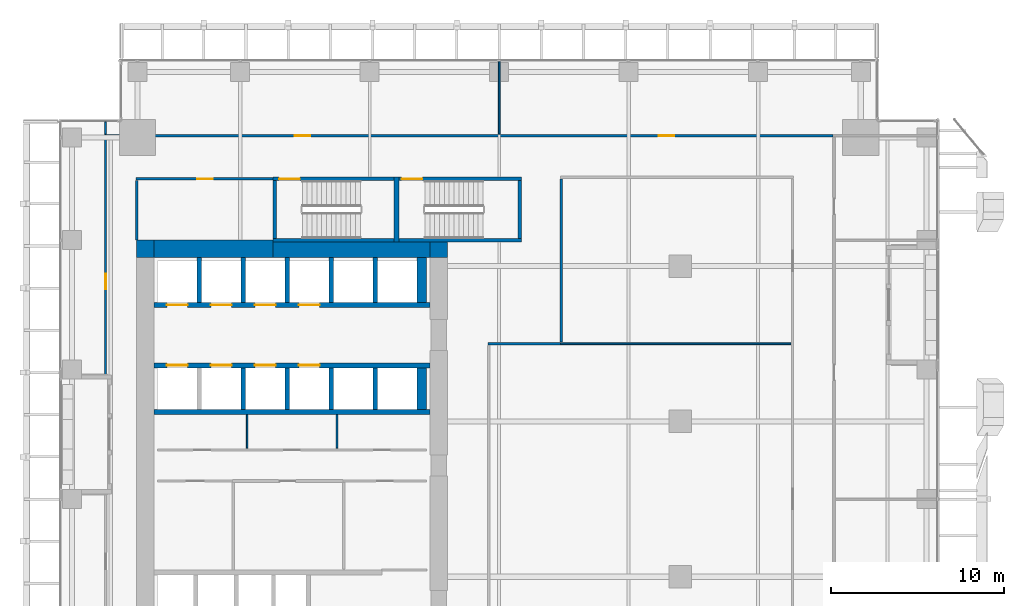
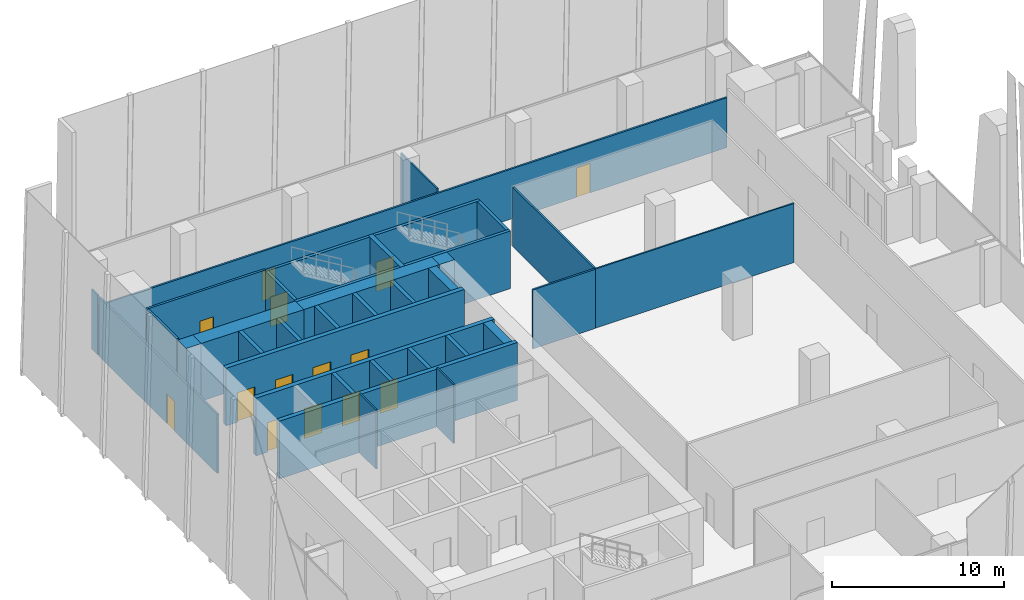
# One storey, part 29 of 35: 36 walls, 14 doors, 14 openings.
"""IFC4 building model written with IfcOpenShell, lengths in metres."""

from ifc_helpers import new_model, si_unit, direction, frame, frame_2d, origin, place, context, subcontext, project, spatial, rectangle, extrude, source, transform, mapped, material, layer, layer_set, type_object, element, fill, save


model = new_model("IFC4")

# Units and contexts
model_context = context("Model", 3, precision=1e-05, world=origin(), true_north=direction((0.0, 1.0)))
body_context = subcontext(model_context, "Body", "Model", "MODEL_VIEW")
ifc_project = project(units=[si_unit("LENGTHUNIT", "METRE"), si_unit("AREAUNIT", "SQUARE_METRE"), si_unit("VOLUMEUNIT", "CUBIC_METRE"), si_unit("PLANEANGLEUNIT", "RADIAN"), si_unit("MASSUNIT", "GRAM", prefix="KILO")], contexts=[model_context])

# Site, building, storey
site_placement = place(None, origin())
site = spatial("IfcSite", under=ifc_project, at=site_placement, CompositionType="ELEMENT")
building_placement = place(site_placement, origin())
building = spatial("IfcBuilding", under=site, at=building_placement, Name="Khomas Fold Tower", CompositionType="ELEMENT")
storey_placement = place(building_placement, frame((0.0, 0.0, 127.89990234375)))
storey = spatial("IfcBuildingStorey", under=building, at=storey_placement, Name="L27", CompositionType="ELEMENT", Elevation=127.89990234375)

# Walls
ifc_material_1 = material(Name="Concrete C70/85", Category="concrete")
ifc_layer_1 = layer(ifc_material_1, 1.0)
ifc_layer_set_1 = layer_set([ifc_layer_1], Name="Concrete C70/85")
wall_type_1 = type_object("IfcWallType", Name="Core wall 1000", PredefinedType="SHEAR", material=ifc_layer_set_1)
shared_shape_1 = source(origin(), body_context, "Body", "SweptSolid", [
    extrude(rectangle(XDim=6.89990234375, YDim=1.0, at=frame_2d((3.449951171875, 0.0))), origin(), (0.0, 0.0, 1.0), 4.10009765625),
])
wall_1_placement = place(storey_placement, frame((7.0, 41.5, 0.0), z_axis=(0.0, 0.0, 1.0), x_axis=(1.0, 0.0, 0.0)))
element("IfcWall", 1, at=wall_1_placement, inside=storey, type_object=wall_type_1, Name="Core wall CW-L-N-L21", PredefinedType="SHEAR", context=body_context, shape_type="MappedRepresentation", body=[
    mapped(shared_shape_1, transform((0.0, 0.0, 0.0))),
])
ifc_material_2 = material(Name="Concrete C70/85", Category="concrete")
ifc_layer_2 = layer(ifc_material_2, 0.89990234375)
ifc_layer_set_2 = layer_set([ifc_layer_2], Name="Concrete C70/85")
wall_type_2 = type_object("IfcWallType", Name="Core wall 900", PredefinedType="SHEAR", material=ifc_layer_set_2)
shared_shape_2 = source(origin(), body_context, "Body", "SweptSolid", [
    extrude(rectangle(XDim=9.10009765625, YDim=0.89990234375, at=frame_2d((4.550048828125, 0.0))), origin(), (0.0, 0.0, 1.0), 4.10009765625),
])
wall_2_placement = place(storey_placement, frame((13.89990234375, 41.449951171875, 0.0), z_axis=(0.0, 0.0, 1.0), x_axis=(1.0, 0.0, 0.0)))
element("IfcWall", 2, at=wall_2_placement, inside=storey, type_object=wall_type_2, Name="Core wall CW-L-N-L21-1", PredefinedType="SHEAR", context=body_context, shape_type="MappedRepresentation", body=[
    mapped(shared_shape_2, transform((0.0, 0.0, 0.0))),
])
ifc_material_3 = material(Name="Concrete C70/85", Category="concrete")
ifc_layer_3 = layer(ifc_material_3, 0.89990234375)
ifc_layer_set_3 = layer_set([ifc_layer_3], Name="Concrete C70/85")
wall_type_3 = type_object("IfcWallType", Name="Core corner wall 900", PredefinedType="SHEAR", material=ifc_layer_set_3)
shared_shape_3 = source(origin(), body_context, "Body", "SweptSolid", [
    extrude(rectangle(XDim=1.0, YDim=0.89990234375, at=frame_2d((0.5, 0.0))), origin(), (0.0, 0.0, 1.0), 4.10009765625),
])
wall_3_placement = place(storey_placement, frame((23.0, 41.449951171875, 0.0), z_axis=(0.0, 0.0, 1.0), x_axis=(1.0, 0.0, 0.0)))
element("IfcWall", 3, at=wall_3_placement, inside=storey, type_object=wall_type_3, Name="Core wall CW-L-NE-L21", PredefinedType="SHEAR", context=body_context, shape_type="MappedRepresentation", body=[
    mapped(shared_shape_3, transform((0.0, 0.0, 0.0))),
])
ifc_material_4 = material(Name="Concrete C70/85", Category="concrete")
ifc_layer_4 = layer(ifc_material_4, 1.0)
ifc_layer_set_4 = layer_set([ifc_layer_4], Name="Concrete C70/85")
wall_type_4 = type_object("IfcWallType", Name="Core corner wall 1000", PredefinedType="SHEAR", material=ifc_layer_set_4)
shared_shape_4 = source(origin(), body_context, "Body", "SweptSolid", [
    extrude(rectangle(XDim=1.0, YDim=1.0, at=frame_2d((0.5, 0.0))), origin(), (0.0, 0.0, 1.0), 4.10009765625),
])
wall_4_placement = place(storey_placement, frame((6.0, 41.5, 0.0), z_axis=(0.0, 0.0, 1.0), x_axis=(1.0, 0.0, 0.0)))
element("IfcWall", 4, at=wall_4_placement, inside=storey, type_object=wall_type_4, Name="Core wall CW-L-NW-L21", PredefinedType="SHEAR", context=body_context, shape_type="MappedRepresentation", body=[
    mapped(shared_shape_4, transform((0.0, 0.0, 0.0))),
])

# Wall, opening, door
ifc_material_5 = material(Name="Concrete C50/60", Category="concrete")
ifc_layer_5 = layer(ifc_material_5, 0.199951171875)
ifc_layer_set_5 = layer_set([ifc_layer_5], Name="Concrete C50/60")
wall_type_5 = type_object("IfcWallType", Name="Stair wall 200", PredefinedType="SHEAR", material=ifc_layer_set_5)
shared_shape_5 = source(origin(), body_context, "Body", "SweptSolid", [
    extrude(rectangle(XDim=7.0, YDim=0.199951171875, at=frame_2d((3.5, 0.0))), origin(), (0.0, 0.0, 1.0), 4.10009765625),
])
wall_5_placement = place(storey_placement, frame((13.89990234375, 45.550048828125, 0.0), z_axis=(0.0, 0.0, 1.0), x_axis=(1.0, 0.0, 0.0)))
wall_5 = element("IfcWall", 5, at=wall_5_placement, inside=storey, type_object=wall_type_5, Name="Stair wall SW-ST1-N", PredefinedType="SHEAR", context=body_context, shape_type="MappedRepresentation", body=[
    mapped(shared_shape_5, transform((0.0, 0.0, 0.0))),
])
shared_shape_6 = source(origin(), body_context, "Body", "SweptSolid", [
    extrude(rectangle(XDim=1.199951171875, YDim=2.10009765625, at=frame_2d((0.60009765625, 1.050048828125))), frame((0.0, 0.10986328125, 0.0), z_axis=(0.0, -1.0, 0.0), x_axis=(1.0, 0.0, 0.0)), (0.0, 0.0, 1.0), 0.219970703125),
])
opening_1_placement = place(wall_5_placement, frame((0.35009765625, 0.0, 0.0)))
opening_1 = element("IfcOpeningElement", 6, at=opening_1_placement, cuts=wall_5, Name="Opening SD-ST1", PredefinedType="OPENING", context=body_context, shape_type="MappedRepresentation", body=[
    mapped(shared_shape_6, transform((0.0, 0.0, 0.0))),
])
ifc_material_6 = material(Name="Steel door leaf", Category="steel")
door_type_1 = type_object("IfcDoorType", Name="Stair door 1200x2100 left-hand", OperationType="SINGLE_SWING_LEFT", PredefinedType="DOOR", material=ifc_material_6)
shared_shape_7 = source(origin(), body_context, "Body", "SweptSolid", [
    extrude(rectangle(XDim=1.199951171875, YDim=2.10009765625, at=frame_2d((0.60009765625, 1.050048828125))), frame((0.0, 0.02490234375, 0.0), z_axis=(0.0, -1.0, 0.0), x_axis=(1.0, 0.0, 0.0)), (0.0, 0.0, 1.0), 0.050048828125),
])
door_1_placement = place(opening_1_placement, origin())
door_1 = element("IfcDoor", 7, at=door_1_placement, inside=storey, type_object=door_type_1, Name="Stair door", OperationType="SINGLE_SWING_LEFT", OverallHeight=2.10009765625, OverallWidth=1.199951171875, PredefinedType="DOOR", context=body_context, shape_type="MappedRepresentation", body=[
    mapped(shared_shape_7, transform((0.0, 0.0, 0.0))),
])
fill(opening_1, door_1)

# Wall
wall_6_placement = place(storey_placement, frame((13.89990234375, 42.0, 0.0), z_axis=(0.0, 0.0, 1.0), x_axis=(1.0, 0.0, 0.0)))
element("IfcWall", 8, at=wall_6_placement, inside=storey, type_object=wall_type_5, Name="Stair wall SW-ST1-S", PredefinedType="SHEAR", context=body_context, shape_type="MappedRepresentation", body=[
    mapped(shared_shape_5, transform((0.0, 0.0, 0.0))),
])

# Wall, opening, door
shared_shape_8 = source(origin(), body_context, "Body", "SweptSolid", [
    extrude(rectangle(XDim=7.10009765625, YDim=0.199951171875, at=frame_2d((3.550048828125, 0.0))), origin(), (0.0, 0.0, 1.0), 4.10009765625),
])
wall_7_placement = place(storey_placement, frame((21.199951171875, 45.550048828125, 0.0), z_axis=(0.0, 0.0, 1.0), x_axis=(1.0, 0.0, 0.0)))
wall_7 = element("IfcWall", 9, at=wall_7_placement, inside=storey, type_object=wall_type_5, Name="Stair wall SW-ST3-N", PredefinedType="SHEAR", context=body_context, shape_type="MappedRepresentation", body=[
    mapped(shared_shape_8, transform((0.0, 0.0, 0.0))),
])
opening_2_placement = place(wall_7_placement, frame((0.14990234375, 0.0, 0.0)))
opening_2 = element("IfcOpeningElement", 10, at=opening_2_placement, cuts=wall_7, Name="Opening SD-ST3", PredefinedType="OPENING", context=body_context, shape_type="MappedRepresentation", body=[
    mapped(shared_shape_6, transform((0.0, 0.0, 0.0))),
])
door_2_placement = place(opening_2_placement, origin())
door_2 = element("IfcDoor", 11, at=door_2_placement, inside=storey, type_object=door_type_1, Name="Stair door", OperationType="SINGLE_SWING_LEFT", OverallHeight=2.10009765625, OverallWidth=1.199951171875, PredefinedType="DOOR", context=body_context, shape_type="MappedRepresentation", body=[
    mapped(shared_shape_7, transform((0.0, 0.0, 0.0))),
])
fill(opening_2, door_2)

# Walls
wall_8_placement = place(storey_placement, frame((21.199951171875, 42.0, 0.0), z_axis=(0.0, 0.0, 1.0), x_axis=(1.0, 0.0, 0.0)))
element("IfcWall", 12, at=wall_8_placement, inside=storey, type_object=wall_type_5, Name="Stair wall SW-ST3-S", PredefinedType="SHEAR", context=body_context, shape_type="MappedRepresentation", body=[
    mapped(shared_shape_8, transform((0.0, 0.0, 0.0))),
])
ifc_material_7 = material(Name="Concrete C50/60", Category="concrete")
ifc_layer_6 = layer(ifc_material_7, 0.300048828125)
ifc_layer_set_6 = layer_set([ifc_layer_6], Name="Concrete C50/60")
wall_type_6 = type_object("IfcWallType", Name="Stair wall 300", PredefinedType="SHEAR", material=ifc_layer_set_6)
shared_shape_9 = source(origin(), body_context, "Body", "SweptSolid", [
    extrude(rectangle(XDim=3.75, YDim=0.300048828125, at=frame_2d((1.875, 0.0))), origin(), (0.0, 0.0, 1.0), 4.10009765625),
])
wall_9_placement = place(storey_placement, frame((21.050048828125, 41.89990234375, 0.0), z_axis=(0.0, 0.0, 1.0), x_axis=(0.0, 1.0, 0.0)))
element("IfcWall", 13, at=wall_9_placement, inside=storey, type_object=wall_type_6, Name="Stair wall SW-ST1-E", PredefinedType="SHEAR", context=body_context, shape_type="MappedRepresentation", body=[
    mapped(shared_shape_9, transform((0.0, 0.0, 0.0))),
])
shared_shape_10 = source(origin(), body_context, "Body", "SweptSolid", [
    extrude(rectangle(XDim=3.349853515625, YDim=0.199951171875, at=frame_2d((1.6748046875, 0.0))), origin(), (0.0, 0.0, 1.0), 4.10009765625),
])
for number, where, z_axis, x_axis, name in (
    (14, (14.0, 42.10009765625, 0.0), (0.0, 0.0, 1.0), (0.0, 1.0, 0.0), "Stair wall SW-ST1-W"),
    (15, (28.199951171875, 42.10009765625, 0.0), (0.0, 0.0, 1.0), (0.0, 1.0, 0.0), "Stair wall SW-ST3-E"),
):
    element("IfcWall", number, at=place(storey_placement, frame(where, z_axis=z_axis, x_axis=x_axis)), inside=storey, type_object=wall_type_5, Name=name, PredefinedType="SHEAR", context=body_context, shape_type="MappedRepresentation", body=[
        mapped(shared_shape_10, transform((0.0, 0.0, 0.0))),
    ])
ifc_material_8 = material(Name="Concrete C50/60", Category="concrete")
ifc_layer_7 = layer(ifc_material_8, 0.300048828125)
ifc_layer_set_7 = layer_set([ifc_layer_7], Name="Concrete C50/60")
wall_type_7 = type_object("IfcWallType", Name="Shaft wall 300", PredefinedType="STANDARD", material=ifc_layer_set_7)
shared_shape_11 = source(origin(), body_context, "Body", "SweptSolid", [
    extrude(rectangle(XDim=16.0, YDim=0.300048828125, at=frame_2d((8.0, 0.0))), origin(), (0.0, 0.0, 1.0), 4.10009765625),
])
wall_10_placement = place(storey_placement, frame((7.0, 32.050048828125, 0.0), z_axis=(0.0, 0.0, 1.0), x_axis=(1.0, 0.0, 0.0)))
element("IfcWall", 16, at=wall_10_placement, inside=storey, type_object=wall_type_7, Name="Core wall SW-HRN-B", PredefinedType="STANDARD", context=body_context, shape_type="MappedRepresentation", body=[
    mapped(shared_shape_11, transform((0.0, 0.0, 0.0))),
])

# Wall, openings, doors
wall_11_placement = place(storey_placement, frame((7.0, 38.25, 0.0), z_axis=(0.0, 0.0, 1.0), x_axis=(1.0, 0.0, 0.0)))
wall_11 = element("IfcWall", 17, at=wall_11_placement, inside=storey, type_object=wall_type_7, Name="Core wall SW-LRN-F", PredefinedType="STANDARD", context=body_context, shape_type="MappedRepresentation", body=[
    mapped(shared_shape_11, transform((0.0, 0.0, 0.0))),
])
shared_shape_12 = source(origin(), body_context, "Body", "SweptSolid", [
    extrude(rectangle(XDim=1.199951171875, YDim=2.10009765625, at=frame_2d((0.60009765625, 1.050048828125))), frame((0.0, 0.159912109375, 0.0), z_axis=(0.0, -1.0, 0.0), x_axis=(1.0, 0.0, 0.0)), (0.0, 0.0, 1.0), 0.320068359375),
])
opening_3_placement = place(wall_11_placement, frame((0.75, 0.0, 0.0)))
opening_3 = element("IfcOpeningElement", 18, at=opening_3_placement, cuts=wall_11, Name="Opening LD-LR5", PredefinedType="OPENING", context=body_context, shape_type="MappedRepresentation", body=[
    mapped(shared_shape_12, transform((0.0, 0.0, 0.0))),
])
opening_4_placement = place(wall_11_placement, frame((3.300048828125, 0.0, 0.0)))
opening_4 = element("IfcOpeningElement", 19, at=opening_4_placement, cuts=wall_11, Name="Opening LD-LR6", PredefinedType="OPENING", context=body_context, shape_type="MappedRepresentation", body=[
    mapped(shared_shape_12, transform((0.0, 0.0, 0.0))),
])
opening_5_placement = place(wall_11_placement, frame((5.85009765625, 0.0, 0.0)))
opening_5 = element("IfcOpeningElement", 20, at=opening_5_placement, cuts=wall_11, Name="Opening LD-LR7", PredefinedType="OPENING", context=body_context, shape_type="MappedRepresentation", body=[
    mapped(shared_shape_12, transform((0.0, 0.0, 0.0))),
])
opening_6_placement = place(wall_11_placement, frame((8.39990234375, 0.0, 0.0)))
opening_6 = element("IfcOpeningElement", 21, at=opening_6_placement, cuts=wall_11, Name="Opening LD-LR8", PredefinedType="OPENING", context=body_context, shape_type="MappedRepresentation", body=[
    mapped(shared_shape_12, transform((0.0, 0.0, 0.0))),
])
ifc_material_9 = material(Name="Steel door leaf", Category="steel")
door_type_2 = type_object("IfcDoorType", Name="Landing door 1200x2100", OperationType="DOUBLE_DOOR_SLIDING", PredefinedType="DOOR", material=ifc_material_9)
door_3_placement = place(opening_3_placement, origin())
door_3 = element("IfcDoor", 22, at=door_3_placement, inside=storey, type_object=door_type_2, Name="Lift landing door", OperationType="DOUBLE_DOOR_SLIDING", OverallHeight=2.10009765625, OverallWidth=1.199951171875, PredefinedType="DOOR", context=body_context, shape_type="MappedRepresentation", body=[
    mapped(shared_shape_7, transform((0.0, 0.0, 0.0))),
])
fill(opening_3, door_3)
door_4_placement = place(opening_4_placement, origin())
door_4 = element("IfcDoor", 23, at=door_4_placement, inside=storey, type_object=door_type_2, Name="Lift landing door", OperationType="DOUBLE_DOOR_SLIDING", OverallHeight=2.10009765625, OverallWidth=1.199951171875, PredefinedType="DOOR", context=body_context, shape_type="MappedRepresentation", body=[
    mapped(shared_shape_7, transform((0.0, 0.0, 0.0))),
])
fill(opening_4, door_4)
door_5_placement = place(opening_5_placement, origin())
door_5 = element("IfcDoor", 24, at=door_5_placement, inside=storey, type_object=door_type_2, Name="Lift landing door", OperationType="DOUBLE_DOOR_SLIDING", OverallHeight=2.10009765625, OverallWidth=1.199951171875, PredefinedType="DOOR", context=body_context, shape_type="MappedRepresentation", body=[
    mapped(shared_shape_7, transform((0.0, 0.0, 0.0))),
])
fill(opening_5, door_5)
door_6_placement = place(opening_6_placement, origin())
door_6 = element("IfcDoor", 25, at=door_6_placement, inside=storey, type_object=door_type_2, Name="Lift landing door", OperationType="DOUBLE_DOOR_SLIDING", OverallHeight=2.10009765625, OverallWidth=1.199951171875, PredefinedType="DOOR", context=body_context, shape_type="MappedRepresentation", body=[
    mapped(shared_shape_7, transform((0.0, 0.0, 0.0))),
])
fill(opening_6, door_6)

wall_12_placement = place(storey_placement, frame((7.0, 34.75, 0.0), z_axis=(0.0, 0.0, 1.0), x_axis=(1.0, 0.0, 0.0)))
wall_12 = element("IfcWall", 26, at=wall_12_placement, inside=storey, type_object=wall_type_7, Name="Core wall SW-LRS-F", PredefinedType="STANDARD", context=body_context, shape_type="MappedRepresentation", body=[
    mapped(shared_shape_11, transform((0.0, 0.0, 0.0))),
])
opening_7_placement = place(wall_12_placement, frame((0.75, 0.0, 0.0)))
opening_7 = element("IfcOpeningElement", 27, at=opening_7_placement, cuts=wall_12, Name="Opening LD-LR1", PredefinedType="OPENING", context=body_context, shape_type="MappedRepresentation", body=[
    mapped(shared_shape_12, transform((0.0, 0.0, 0.0))),
])
opening_8_placement = place(wall_12_placement, frame((3.300048828125, 0.0, 0.0)))
opening_8 = element("IfcOpeningElement", 28, at=opening_8_placement, cuts=wall_12, Name="Opening LD-LR2", PredefinedType="OPENING", context=body_context, shape_type="MappedRepresentation", body=[
    mapped(shared_shape_12, transform((0.0, 0.0, 0.0))),
])
opening_9_placement = place(wall_12_placement, frame((5.85009765625, 0.0, 0.0)))
opening_9 = element("IfcOpeningElement", 29, at=opening_9_placement, cuts=wall_12, Name="Opening LD-LR3", PredefinedType="OPENING", context=body_context, shape_type="MappedRepresentation", body=[
    mapped(shared_shape_12, transform((0.0, 0.0, 0.0))),
])
opening_10_placement = place(wall_12_placement, frame((8.39990234375, 0.0, 0.0)))
opening_10 = element("IfcOpeningElement", 30, at=opening_10_placement, cuts=wall_12, Name="Opening LD-LR4", PredefinedType="OPENING", context=body_context, shape_type="MappedRepresentation", body=[
    mapped(shared_shape_12, transform((0.0, 0.0, 0.0))),
])
door_7_placement = place(opening_7_placement, origin())
door_7 = element("IfcDoor", 31, at=door_7_placement, inside=storey, type_object=door_type_2, Name="Lift landing door", OperationType="DOUBLE_DOOR_SLIDING", OverallHeight=2.10009765625, OverallWidth=1.199951171875, PredefinedType="DOOR", context=body_context, shape_type="MappedRepresentation", body=[
    mapped(shared_shape_7, transform((0.0, 0.0, 0.0))),
])
fill(opening_7, door_7)
door_8_placement = place(opening_8_placement, origin())
door_8 = element("IfcDoor", 32, at=door_8_placement, inside=storey, type_object=door_type_2, Name="Lift landing door", OperationType="DOUBLE_DOOR_SLIDING", OverallHeight=2.10009765625, OverallWidth=1.199951171875, PredefinedType="DOOR", context=body_context, shape_type="MappedRepresentation", body=[
    mapped(shared_shape_7, transform((0.0, 0.0, 0.0))),
])
fill(opening_8, door_8)
door_9_placement = place(opening_9_placement, origin())
door_9 = element("IfcDoor", 33, at=door_9_placement, inside=storey, type_object=door_type_2, Name="Lift landing door", OperationType="DOUBLE_DOOR_SLIDING", OverallHeight=2.10009765625, OverallWidth=1.199951171875, PredefinedType="DOOR", context=body_context, shape_type="MappedRepresentation", body=[
    mapped(shared_shape_7, transform((0.0, 0.0, 0.0))),
])
fill(opening_9, door_9)
door_10_placement = place(opening_10_placement, origin())
door_10 = element("IfcDoor", 34, at=door_10_placement, inside=storey, type_object=door_type_2, Name="Lift landing door", OperationType="DOUBLE_DOOR_SLIDING", OverallHeight=2.10009765625, OverallWidth=1.199951171875, PredefinedType="DOOR", context=body_context, shape_type="MappedRepresentation", body=[
    mapped(shared_shape_7, transform((0.0, 0.0, 0.0))),
])
fill(opening_10, door_10)

# Walls
ifc_material_10 = material(Name="Concrete C50/60", Category="concrete")
ifc_layer_8 = layer(ifc_material_10, 0.25)
ifc_layer_set_8 = layer_set([ifc_layer_8], Name="Concrete C50/60")
wall_type_8 = type_object("IfcWallType", Name="Shaft wall 250", PredefinedType="STANDARD", material=ifc_layer_set_8)
shared_shape_13 = source(origin(), body_context, "Body", "SweptSolid", [
    extrude(rectangle(XDim=2.60009765625, YDim=0.25, at=frame_2d((1.300048828125, 0.0))), origin(), (0.0, 0.0, 1.0), 4.10009765625),
])
for number, where, z_axis, x_axis, name in (
    (35, (9.625, 38.39990234375, 0.0), (0.0, 0.0, 1.0), (0.0, 1.0, 0.0), "Core wall SW-LRN-P1"),
    (36, (12.175048828125, 38.39990234375, 0.0), (0.0, 0.0, 1.0), (0.0, 1.0, 0.0), "Core wall SW-LRN-P2"),
    (37, (14.72509765625, 38.39990234375, 0.0), (0.0, 0.0, 1.0), (0.0, 1.0, 0.0), "Core wall SW-LRN-P3"),
    (38, (17.27490234375, 38.39990234375, 0.0), (0.0, 0.0, 1.0), (0.0, 1.0, 0.0), "Core wall SW-LRN-P4"),
    (39, (19.824951171875, 38.39990234375, 0.0), (0.0, 0.0, 1.0), (0.0, 1.0, 0.0), "Core wall SW-LRN-P5"),
):
    element("IfcWall", number, at=place(storey_placement, frame(where, z_axis=z_axis, x_axis=x_axis)), inside=storey, type_object=wall_type_8, Name=name, PredefinedType="STANDARD", context=body_context, shape_type="MappedRepresentation", body=[
        mapped(shared_shape_13, transform((0.0, 0.0, 0.0))),
    ])
ifc_material_11 = material(Name="Concrete C50/60", Category="concrete")
ifc_layer_9 = layer(ifc_material_11, 0.550048828125)
ifc_layer_set_9 = layer_set([ifc_layer_9], Name="Concrete C50/60")
wall_type_9 = type_object("IfcWallType", Name="Shaft wall 550", PredefinedType="STANDARD", material=ifc_layer_set_9)
shared_shape_14 = source(origin(), body_context, "Body", "SweptSolid", [
    extrude(rectangle(XDim=2.60009765625, YDim=0.550048828125, at=frame_2d((1.300048828125, 0.0))), origin(), (0.0, 0.0, 1.0), 4.10009765625),
])
wall_13_placement = place(storey_placement, frame((22.52490234375, 38.39990234375, 0.0), z_axis=(0.0, 0.0, 1.0), x_axis=(0.0, 1.0, 0.0)))
element("IfcWall", 40, at=wall_13_placement, inside=storey, type_object=wall_type_9, Name="Core wall SW-LRN-PE", PredefinedType="STANDARD", context=body_context, shape_type="MappedRepresentation", body=[
    mapped(shared_shape_14, transform((0.0, 0.0, 0.0))),
])
shared_shape_15 = source(origin(), body_context, "Body", "SweptSolid", [
    extrude(rectangle(XDim=2.400146484375, YDim=0.25, at=frame_2d((1.2001953125, 0.0))), origin(), (0.0, 0.0, 1.0), 4.10009765625),
])
for number, where, z_axis, x_axis, name in (
    (41, (12.175048828125, 32.199951171875, 0.0), (0.0, 0.0, 1.0), (0.0, 1.0, 0.0), "Core wall SW-LRS-P2"),
    (42, (14.72509765625, 32.199951171875, 0.0), (0.0, 0.0, 1.0), (0.0, 1.0, 0.0), "Core wall SW-LRS-P3"),
    (43, (17.27490234375, 32.199951171875, 0.0), (0.0, 0.0, 1.0), (0.0, 1.0, 0.0), "Core wall SW-LRS-P4"),
    (44, (19.824951171875, 32.199951171875, 0.0), (0.0, 0.0, 1.0), (0.0, 1.0, 0.0), "Core wall SW-LRS-P5"),
):
    element("IfcWall", number, at=place(storey_placement, frame(where, z_axis=z_axis, x_axis=x_axis)), inside=storey, type_object=wall_type_8, Name=name, PredefinedType="STANDARD", context=body_context, shape_type="MappedRepresentation", body=[
        mapped(shared_shape_15, transform((0.0, 0.0, 0.0))),
    ])
shared_shape_16 = source(origin(), body_context, "Body", "SweptSolid", [
    extrude(rectangle(XDim=2.400146484375, YDim=0.550048828125, at=frame_2d((1.2001953125, 0.0))), origin(), (0.0, 0.0, 1.0), 4.10009765625),
])
wall_14_placement = place(storey_placement, frame((22.52490234375, 32.199951171875, 0.0), z_axis=(0.0, 0.0, 1.0), x_axis=(0.0, 1.0, 0.0)))
element("IfcWall", 45, at=wall_14_placement, inside=storey, type_object=wall_type_9, Name="Core wall SW-LRS-PE", PredefinedType="STANDARD", context=body_context, shape_type="MappedRepresentation", body=[
    mapped(shared_shape_16, transform((0.0, 0.0, 0.0))),
])

# Wall, openings, doors
ifc_material_12 = material(Name="Plasterboard partition")
ifc_layer_10 = layer(ifc_material_12, 0.125)
ifc_layer_set_10 = layer_set([ifc_layer_10], Name="Plasterboard partition")
wall_type_10 = type_object("IfcWallType", Name="Partition PW2 125", PredefinedType="PARTITIONING", material=ifc_layer_set_10)
shared_shape_17 = source(origin(), body_context, "Body", "SweptSolid", [
    extrude(rectangle(XDim=42.2001953125, YDim=0.125, at=frame_2d((21.10009765625, 0.0))), origin(), (0.0, 0.0, 1.0), 3.550048828125),
])
wall_15_placement = place(storey_placement, frame((4.14990234375, 48.050048828125, 0.0), z_axis=(0.0, 0.0, 1.0), x_axis=(1.0, 0.0, 0.0)))
wall_15 = element("IfcWall", 46, at=wall_15_placement, inside=storey, type_object=wall_type_10, Name="Partition", PredefinedType="PARTITIONING", context=body_context, shape_type="MappedRepresentation", body=[
    mapped(shared_shape_17, transform((0.0, 0.0, 0.0))),
])
shared_shape_18 = source(origin(), body_context, "Body", "SweptSolid", [
    extrude(rectangle(XDim=0.89990234375, YDim=2.10009765625, at=frame_2d((0.449951171875, 1.050048828125))), frame((0.0, 0.072509765625, 0.0), z_axis=(0.0, -1.0, 0.0), x_axis=(1.0, 0.0, 0.0)), (0.0, 0.0, 1.0), 0.14501953125),
])
opening_11_placement = place(wall_15_placement, frame((11.0, 0.0, 0.0)))
opening_11 = element("IfcOpeningElement", 47, at=opening_11_placement, cuts=wall_15, Name="Opening 0007", PredefinedType="OPENING", context=body_context, shape_type="MappedRepresentation", body=[
    mapped(shared_shape_18, transform((0.0, 0.0, 0.0))),
])
opening_12_placement = place(wall_15_placement, frame((32.10009765625, 0.0, 0.0)))
opening_12 = element("IfcOpeningElement", 48, at=opening_12_placement, cuts=wall_15, Name="Opening 0007", PredefinedType="OPENING", context=body_context, shape_type="MappedRepresentation", body=[
    mapped(shared_shape_18, transform((0.0, 0.0, 0.0))),
])
ifc_material_13 = material(Name="Timber door leaf", Category="wood")
door_type_3 = type_object("IfcDoorType", Name="Door 900x2100 left-hand", OperationType="SINGLE_SWING_LEFT", PredefinedType="DOOR", material=ifc_material_13)
shared_shape_19 = source(origin(), body_context, "Body", "SweptSolid", [
    extrude(rectangle(XDim=0.89990234375, YDim=2.10009765625, at=frame_2d((0.449951171875, 1.050048828125))), frame((0.0, 0.02490234375, 0.0), z_axis=(0.0, -1.0, 0.0), x_axis=(1.0, 0.0, 0.0)), (0.0, 0.0, 1.0), 0.050048828125),
])
door_11_placement = place(opening_11_placement, origin())
door_11 = element("IfcDoor", 49, at=door_11_placement, inside=storey, type_object=door_type_3, Name="Door", OperationType="SINGLE_SWING_LEFT", OverallHeight=2.10009765625, OverallWidth=0.89990234375, PredefinedType="DOOR", context=body_context, shape_type="MappedRepresentation", body=[
    mapped(shared_shape_19, transform((0.0, 0.0, 0.0))),
])
fill(opening_11, door_11)
door_12_placement = place(opening_12_placement, origin())
door_12 = element("IfcDoor", 50, at=door_12_placement, inside=storey, type_object=door_type_3, Name="Door", OperationType="SINGLE_SWING_LEFT", OverallHeight=2.10009765625, OverallWidth=0.89990234375, PredefinedType="DOOR", context=body_context, shape_type="MappedRepresentation", body=[
    mapped(shared_shape_19, transform((0.0, 0.0, 0.0))),
])
fill(opening_12, door_12)

# Walls
ifc_material_14 = material(Name="Plasterboard partition")
ifc_layer_11 = layer(ifc_material_14, 0.10009765625)
ifc_layer_set_11 = layer_set([ifc_layer_11], Name="Plasterboard partition")
wall_type_11 = type_object("IfcWallType", Name="Partition PW1 100", PredefinedType="PARTITIONING", material=ifc_layer_set_11)
shared_shape_20 = source(origin(), body_context, "Body", "SweptSolid", [
    extrude(rectangle(XDim=4.2001953125, YDim=0.10009765625, at=frame_2d((2.10009765625, 0.0))), origin(), (0.0, 0.0, 1.0), 3.77001953125),
])
wall_16_placement = place(storey_placement, frame((27.0, 48.14990234375, 0.0), z_axis=(0.0, 0.0, 1.0), x_axis=(0.0, 1.0, 0.0)))
element("IfcWall", 51, at=wall_16_placement, inside=storey, type_object=wall_type_11, Name="Partition", PredefinedType="PARTITIONING", context=body_context, shape_type="MappedRepresentation", body=[
    mapped(shared_shape_20, transform((0.0, 0.0, 0.0))),
])
shared_shape_21 = source(origin(), body_context, "Body", "SweptSolid", [
    extrude(rectangle(XDim=4.199951171875, YDim=0.125, at=frame_2d((2.10009765625, 0.0))), origin(), (0.0, 0.0, 1.0), 4.2001953125),
])
wall_17_placement = place(storey_placement, frame((26.35009765625, 36.0, 0.0), z_axis=(0.0, 0.0, 1.0), x_axis=(1.0, 0.0, 0.0)))
element("IfcWall", 52, at=wall_17_placement, inside=storey, type_object=wall_type_10, Name="Partition", PredefinedType="PARTITIONING", context=body_context, shape_type="MappedRepresentation", body=[
    mapped(shared_shape_21, transform((0.0, 0.0, 0.0))),
])
shared_shape_22 = source(origin(), body_context, "Body", "SweptSolid", [
    extrude(rectangle(XDim=13.349853515625, YDim=0.10009765625, at=frame_2d((6.6748046875, 0.0))), origin(), (0.0, 0.0, 1.0), 4.2001953125),
])
wall_18_placement = place(storey_placement, frame((30.550048828125, 36.0, 0.0), z_axis=(0.0, 0.0, 1.0), x_axis=(1.0, 0.0, 0.0)))
element("IfcWall", 53, at=wall_18_placement, inside=storey, type_object=wall_type_11, Name="Partition", PredefinedType="PARTITIONING", context=body_context, shape_type="MappedRepresentation", body=[
    mapped(shared_shape_22, transform((0.0, 0.0, 0.0))),
])
shared_shape_23 = source(origin(), body_context, "Body", "SweptSolid", [
    extrude(rectangle(XDim=9.449951171875, YDim=0.125, at=frame_2d((4.72509765625, 0.0))), origin(), (0.0, 0.0, 1.0), 4.2001953125),
])
wall_19_placement = place(storey_placement, frame((30.60009765625, 36.10009765625, 0.0), z_axis=(0.0, 0.0, 1.0), x_axis=(0.0, 1.0, 0.0)))
element("IfcWall", 54, at=wall_19_placement, inside=storey, type_object=wall_type_10, Name="Partition", PredefinedType="PARTITIONING", context=body_context, shape_type="MappedRepresentation", body=[
    mapped(shared_shape_23, transform((0.0, 0.0, 0.0))),
])
shared_shape_24 = source(origin(), body_context, "Body", "SweptSolid", [
    extrude(rectangle(XDim=0.7001953125, YDim=0.10009765625, at=frame_2d((0.35009765625, 0.0))), origin(), (0.0, 0.0, 1.0), 4.2001953125),
])
wall_20_placement = place(storey_placement, frame((4.199951171875, 48.14990234375, 0.0), z_axis=(0.0, 0.0, 1.0), x_axis=(0.0, 1.0, 0.0)))
element("IfcWall", 55, at=wall_20_placement, inside=storey, type_object=wall_type_11, Name="Partition", PredefinedType="PARTITIONING", context=body_context, shape_type="MappedRepresentation", body=[
    mapped(shared_shape_24, transform((0.0, 0.0, 0.0))),
])
shared_shape_25 = source(origin(), body_context, "Body", "SweptSolid", [
    extrude(rectangle(XDim=1.949951171875, YDim=0.10009765625, at=frame_2d((0.97509765625, 0.0))), origin(), (0.0, 0.0, 1.0), 4.2001953125),
])
for number, where, z_axis, x_axis, name in (
    (56, (12.39990234375, 29.949951171875, 0.0), (0.0, 0.0, 1.0), (0.0, 1.0, 0.0), "Partition"),
    (57, (17.60009765625, 29.949951171875, 0.0), (0.0, 0.0, 1.0), (0.0, 1.0, 0.0), "Partition"),
):
    element("IfcWall", number, at=place(storey_placement, frame(where, z_axis=z_axis, x_axis=x_axis)), inside=storey, type_object=wall_type_11, Name=name, PredefinedType="PARTITIONING", context=body_context, shape_type="MappedRepresentation", body=[
        mapped(shared_shape_25, transform((0.0, 0.0, 0.0))),
    ])

# Wall, opening, door
shared_shape_26 = source(origin(), body_context, "Body", "SweptSolid", [
    extrude(rectangle(XDim=13.75, YDim=0.125, at=frame_2d((6.875, 0.0))), origin(), (0.0, 0.0, 1.0), 4.2001953125),
])
wall_21_placement = place(storey_placement, frame((4.199951171875, 34.199951171875, 0.0), z_axis=(0.0, 0.0, 1.0), x_axis=(0.0, 1.0, 0.0)))
wall_21 = element("IfcWall", 58, at=wall_21_placement, inside=storey, type_object=wall_type_10, Name="Partition", PredefinedType="PARTITIONING", context=body_context, shape_type="MappedRepresentation", body=[
    mapped(shared_shape_26, transform((0.0, 0.0, 0.0))),
])
opening_13_placement = place(wall_21_placement, frame((4.949951171875, 0.0, 0.0)))
opening_13 = element("IfcOpeningElement", 59, at=opening_13_placement, cuts=wall_21, Name="Opening 0008", PredefinedType="OPENING", context=body_context, shape_type="MappedRepresentation", body=[
    mapped(shared_shape_18, transform((0.0, 0.0, 0.0))),
])
ifc_material_15 = material(Name="Timber door leaf", Category="wood")
door_type_4 = type_object("IfcDoorType", Name="Door 900x2100 right-hand", OperationType="SINGLE_SWING_RIGHT", PredefinedType="DOOR", material=ifc_material_15)
door_13_placement = place(opening_13_placement, origin())
door_13 = element("IfcDoor", 60, at=door_13_placement, inside=storey, type_object=door_type_4, Name="Door", OperationType="SINGLE_SWING_RIGHT", OverallHeight=2.10009765625, OverallWidth=0.89990234375, PredefinedType="DOOR", context=body_context, shape_type="MappedRepresentation", body=[
    mapped(shared_shape_19, transform((0.0, 0.0, 0.0))),
])
fill(opening_13, door_13)

# Wall
ifc_material_16 = material(Name="Plasterboard fire partition")
ifc_layer_12 = layer(ifc_material_16, 0.14990234375)
ifc_layer_set_12 = layer_set([ifc_layer_12], Name="Plasterboard fire partition")
wall_type_12 = type_object("IfcWallType", Name="Plant room wall PW3 150", PredefinedType="PARTITIONING", material=ifc_layer_set_12)
shared_shape_27 = source(origin(), body_context, "Body", "SweptSolid", [
    extrude(rectangle(XDim=3.449951171875, YDim=0.14990234375, at=frame_2d((1.72509765625, 0.0))), origin(), (0.0, 0.0, 1.0), 4.2001953125),
])
wall_22_placement = place(storey_placement, frame((6.0, 42.0, 0.0), z_axis=(0.0, 0.0, 1.0), x_axis=(0.0, 1.0, 0.0)))
element("IfcWall", 61, at=wall_22_placement, inside=storey, type_object=wall_type_12, Name="Plant room wall", PredefinedType="PARTITIONING", context=body_context, shape_type="MappedRepresentation", body=[
    mapped(shared_shape_27, transform((0.0, 0.0, 0.0))),
])

# Wall, opening, door
shared_shape_28 = source(origin(), body_context, "Body", "SweptSolid", [
    extrude(rectangle(XDim=7.949951171875, YDim=0.14990234375, at=frame_2d((3.97509765625, 0.0))), origin(), (0.0, 0.0, 1.0), 4.2001953125),
])
wall_23_placement = place(storey_placement, frame((5.949951171875, 45.550048828125, 0.0), z_axis=(0.0, 0.0, 1.0), x_axis=(1.0, 0.0, 0.0)))
wall_23 = element("IfcWall", 62, at=wall_23_placement, inside=storey, type_object=wall_type_12, Name="Plant room wall", PredefinedType="PARTITIONING", context=body_context, shape_type="MappedRepresentation", body=[
    mapped(shared_shape_28, transform((0.0, 0.0, 0.0))),
])
shared_shape_29 = source(origin(), body_context, "Body", "SweptSolid", [
    extrude(rectangle(XDim=0.89990234375, YDim=2.10009765625, at=frame_2d((0.449951171875, 1.050048828125))), frame((0.0, 0.0849609375, 0.0), z_axis=(0.0, -1.0, 0.0), x_axis=(1.0, 0.0, 0.0)), (0.0, 0.0, 1.0), 0.169921875),
])
opening_14_placement = place(wall_23_placement, frame((3.550048828125, 0.0, 0.0)))
opening_14 = element("IfcOpeningElement", 63, at=opening_14_placement, cuts=wall_23, Name="Opening 0003", PredefinedType="OPENING", context=body_context, shape_type="MappedRepresentation", body=[
    mapped(shared_shape_29, transform((0.0, 0.0, 0.0))),
])
ifc_material_17 = material(Name="Steel door leaf", Category="steel")
door_type_5 = type_object("IfcDoorType", Name="Plant room door 900x2100 right-hand", OperationType="SINGLE_SWING_RIGHT", PredefinedType="DOOR", material=ifc_material_17)
door_14_placement = place(opening_14_placement, origin())
door_14 = element("IfcDoor", 64, at=door_14_placement, inside=storey, type_object=door_type_5, Name="Plant room door", OperationType="SINGLE_SWING_RIGHT", OverallHeight=2.10009765625, OverallWidth=0.89990234375, PredefinedType="DOOR", context=body_context, shape_type="MappedRepresentation", body=[
    mapped(shared_shape_19, transform((0.0, 0.0, 0.0))),
])
fill(opening_14, door_14)

save(model, "model.ifc")
